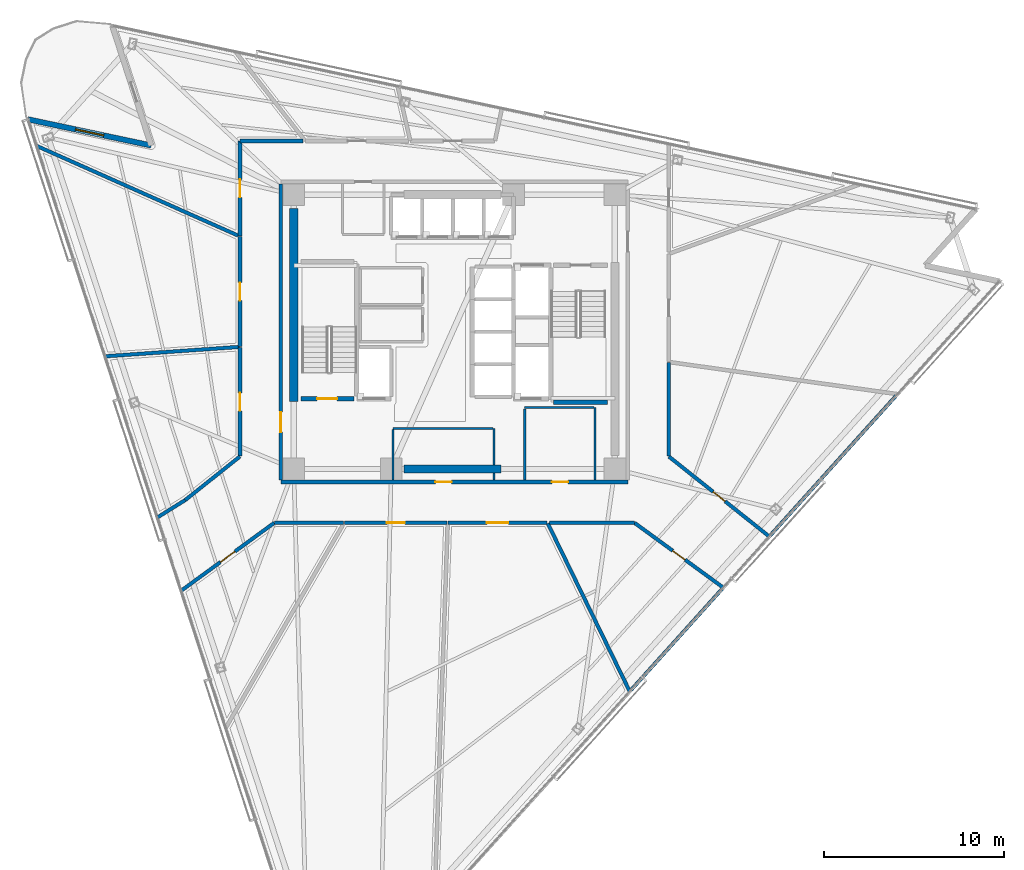
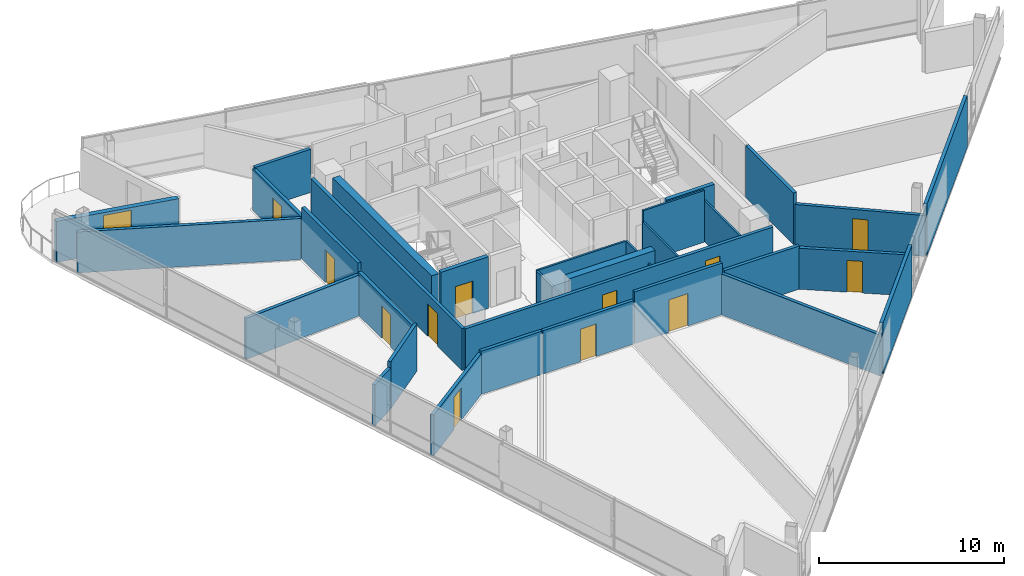
# One storey, part 10 of 17: 33 walls, 12 doors, 1 window, 13 openings.
"""IFC4 building model written with IfcOpenShell, lengths in metres."""

from ifc_helpers import new_model, si_unit, direction, frame, frame_2d, origin, place, context, subcontext, project, spatial, rectangle, extrude, material, layer, layer_set, type_object, element, fill, save


model = new_model("IFC4")

# Units and contexts
model_context = context("Model", 3, precision=1e-05, world=origin(), true_north=direction((0.0, 1.0)))
body_context = subcontext(model_context, "Body", "Model", "MODEL_VIEW")
ifc_project = project(units=[si_unit("LENGTHUNIT", "METRE"), si_unit("AREAUNIT", "SQUARE_METRE"), si_unit("VOLUMEUNIT", "CUBIC_METRE"), si_unit("PLANEANGLEUNIT", "RADIAN"), si_unit("MASSUNIT", "GRAM", prefix="KILO")], contexts=[model_context])

# Site, building, storey
site_placement = place(None, origin())
site = spatial("IfcSite", under=ifc_project, at=site_placement, CompositionType="ELEMENT")
building_placement = place(site_placement, origin())
building = spatial("IfcBuilding", under=site, at=building_placement, Name="Tharavind Bronze Gate", CompositionType="ELEMENT")
storey_placement = place(building_placement, frame((0.0, 0.0, 214.85009765625)))
storey = spatial("IfcBuildingStorey", under=building, at=storey_placement, Name="L55", CompositionType="ELEMENT", Elevation=214.85009765625)

# Wall, opening, window
ifc_material_1 = material(Name="Concrete C40/50", Category="concrete")
ifc_layer_1 = layer(ifc_material_1, 0.300048828125)
ifc_layer_set_1 = layer_set([ifc_layer_1], Name="Concrete C40/50")
wall_type_1 = type_object("IfcWallType", Name="EXTERIOR SPANDREL WALL 300", PredefinedType="STANDARD", material=ifc_layer_set_1)
wall_1_placement = place(storey_placement, frame((-16.802734375, 10.329345703125, 0.0), z_axis=(0.0, 0.0, 1.0), x_axis=(-0.9781486268, 0.207906863497, 0.0)))
wall_1 = element("IfcWall", 1, at=wall_1_placement, inside=storey, type_object=wall_type_1, Name="L55 notch cheek wall 1B", PredefinedType="STANDARD", context=body_context, shape_type="SweptSolid", body=[
    extrude(rectangle(XDim=6.97998046875, YDim=0.300048828125, at=frame_2d((3.489990234375, 0.0))), origin(), (0.0, 0.0, 1.0), 2.71484375),
])
opening_1_placement = place(wall_1_placement, frame((2.68994140625, 0.0, 0.3349609375)))
opening_1 = element("IfcOpeningElement", 2, at=opening_1_placement, cuts=wall_1, Name="Opening W05", PredefinedType="OPENING", context=body_context, shape_type="SweptSolid", body=[
    extrude(rectangle(XDim=1.60009765625, YDim=2.199951171875, at=frame_2d((0.800048828125, 1.10009765625))), frame((0.0, 0.15990234375, 0.0), z_axis=(0.0, -1.0, 0.0), x_axis=(1.0, 0.0, 0.0)), (0.0, 0.0, 1.0), 0.320048828125),
])
ifc_material_2 = material(Name="Bronze Aluminium & Low-E Glass", Category="aluminium")
window_type = type_object("IfcWindowType", Name="OFFICE NOTCH BRONZE WINDOW 1600X2200", PartitioningType="DOUBLE_PANEL_VERTICAL", PredefinedType="WINDOW", material=ifc_material_2)
window_placement = place(opening_1_placement, origin())
window = element("IfcWindow", 3, at=window_placement, inside=storey, type_object=window_type, Name="L55 exterior window WL-L55-NCA1-01", OverallHeight=2.199951171875, OverallWidth=1.60009765625, PartitioningType="SINGLE_PANEL", PredefinedType="WINDOW", context=body_context, shape_type="SweptSolid", body=[
    extrude(rectangle(XDim=1.60009765625, YDim=2.199951171875, at=frame_2d((0.800048828125, 1.10009765625))), frame((0.0, 0.030029296875, 0.0), z_axis=(0.0, -1.0, 0.0), x_axis=(1.0, 0.0, 0.0)), (0.0, 0.0, 1.0), 0.06005859375),
])
fill(opening_1, window)

# Wall, openings, doors
ifc_material_3 = material(Name="Aerated Concrete Block", Category="concrete")
ifc_layer_2 = layer(ifc_material_3, 0.199951171875)
ifc_layer_set_2 = layer_set([ifc_layer_2], Name="Aerated Concrete Block")
wall_type_2 = type_object("IfcWallType", Name="FIRE RATED PARTITION 200", PredefinedType="PARTITIONING", material=ifc_layer_set_2)
wall_2_placement = place(storey_placement, frame((-9.6201171875, -8.320068359375, 0.0), z_axis=(0.0, 0.0, 1.0), x_axis=(1.0, 0.0, 0.0)))
wall_2 = element("IfcWall", 4, at=wall_2_placement, inside=storey, type_object=wall_type_2, Name="L55 south core corridor wall", PredefinedType="PARTITIONING", context=body_context, shape_type="SweptSolid", body=[
    extrude(rectangle(XDim=19.240234375, YDim=0.199951171875, at=frame_2d((9.6201171875, 0.0))), origin(), (0.0, 0.0, 1.0), 2.864990234375),
])
opening_2_placement = place(wall_2_placement, frame((8.570068359375, 0.0, 0.0)))
opening_2 = element("IfcOpeningElement", 5, at=opening_2_placement, cuts=wall_2, Name="Opening ID07", PredefinedType="OPENING", context=body_context, shape_type="SweptSolid", body=[
    extrude(rectangle(XDim=0.89990234375, YDim=2.10009765625, at=frame_2d((0.449951171875, 1.050048828125))), frame((0.0, 0.11009765625, 0.0), z_axis=(0.0, -1.0, 0.0), x_axis=(1.0, 0.0, 0.0)), (0.0, 0.0, 1.0), 0.219951171875),
])
opening_3_placement = place(wall_2_placement, frame((15.02001953125, 0.0, 0.0)))
opening_3 = element("IfcOpeningElement", 6, at=opening_3_placement, cuts=wall_2, Name="Opening ID07", PredefinedType="OPENING", context=body_context, shape_type="SweptSolid", body=[
    extrude(rectangle(XDim=0.89990234375, YDim=2.10009765625, at=frame_2d((0.449951171875, 1.050048828125))), frame((0.0, 0.11009765625, 0.0), z_axis=(0.0, -1.0, 0.0), x_axis=(1.0, 0.0, 0.0)), (0.0, 0.0, 1.0), 0.219951171875),
])
ifc_material_4 = material(Name="Galvanised Fire Steel", Category="steel")
door_type_1 = type_object("IfcDoorType", Name="PLANT AND RISER FIRE DOOR 900X2100", OperationType="SINGLE_SWING_LEFT", PredefinedType="DOOR", material=ifc_material_4)
door_1_placement = place(opening_2_placement, origin())
door_1 = element("IfcDoor", 7, at=door_1_placement, inside=storey, type_object=door_type_1, Name="L55 Core BMS Control Room fire door", OperationType="SINGLE_SWING_LEFT", OverallHeight=2.10009765625, OverallWidth=0.89990234375, PredefinedType="DOOR", context=body_context, shape_type="SweptSolid", body=[
    extrude(rectangle(XDim=0.89990234375, YDim=2.10009765625, at=frame_2d((0.449951171875, 1.050048828125))), frame((0.0, 0.02490234375, 0.0), z_axis=(0.0, -1.0, 0.0), x_axis=(1.0, 0.0, 0.0)), (0.0, 0.0, 1.0), 0.050048828125),
])
fill(opening_2, door_1)
door_2_placement = place(opening_3_placement, origin())
door_2 = element("IfcDoor", 8, at=door_2_placement, inside=storey, type_object=door_type_1, Name="L55 Telecom Metering Room fire door", OperationType="SINGLE_SWING_LEFT", OverallHeight=2.10009765625, OverallWidth=0.89990234375, PredefinedType="DOOR", context=body_context, shape_type="SweptSolid", body=[
    extrude(rectangle(XDim=0.89990234375, YDim=2.10009765625, at=frame_2d((0.449951171875, 1.050048828125))), frame((0.0, 0.02490234375, 0.0), z_axis=(0.0, -1.0, 0.0), x_axis=(1.0, 0.0, 0.0)), (0.0, 0.0, 1.0), 0.050048828125),
])
fill(opening_3, door_2)

# Wall, opening, door
wall_3_placement = place(storey_placement, frame((-9.6201171875, 8.199951171875, 0.0), z_axis=(0.0, 0.0, 1.0), x_axis=(0.0, -1.0, 0.0)))
wall_3 = element("IfcWall", 9, at=wall_3_placement, inside=storey, type_object=wall_type_2, Name="L55 west core corridor wall", PredefinedType="PARTITIONING", context=body_context, shape_type="SweptSolid", body=[
    extrude(rectangle(XDim=16.39990234375, YDim=0.199951171875, at=frame_2d((8.199951171875, 0.0))), origin(), (0.0, 0.0, 1.0), 2.764892578125),
])
opening_4_placement = place(wall_3_placement, frame((12.64990234375, 0.0, 0.0)))
opening_4 = element("IfcOpeningElement", 10, at=opening_4_placement, cuts=wall_3, Name="Opening ID01", PredefinedType="OPENING", context=body_context, shape_type="SweptSolid", body=[
    extrude(rectangle(XDim=1.10009765625, YDim=2.14990234375, at=frame_2d((0.550048828125, 1.074951171875))), frame((0.0, 0.11009765625, 0.0), z_axis=(0.0, -1.0, 0.0), x_axis=(1.0, 0.0, 0.0)), (0.0, 0.0, 1.0), 0.219951171875),
])
ifc_material_5 = material(Name="Fire-Rated Steel", Category="steel")
door_type_2 = type_object("IfcDoorType", Name="STAIR CORE FIRE DOOR 1100X2150", OperationType="SINGLE_SWING_LEFT", PredefinedType="DOOR", material=ifc_material_5)
door_3_placement = place(opening_4_placement, frame((1.10009765625, 0.0, 0.0), z_axis=(0.0, 0.0, 1.0), x_axis=(-1.0, 0.0, 0.0)))
door_3 = element("IfcDoor", 11, at=door_3_placement, inside=storey, type_object=door_type_2, Name="L55 south west stair lobby fire door", OperationType="SINGLE_SWING_LEFT", OverallHeight=2.14990234375, OverallWidth=1.10009765625, PredefinedType="DOOR", context=body_context, shape_type="SweptSolid", body=[
    extrude(rectangle(XDim=1.10009765625, YDim=2.14990234375, at=frame_2d((0.550048828125, 1.074951171875))), frame((0.0, 0.02490234375, 0.0), z_axis=(0.0, -1.0, 0.0), x_axis=(1.0, 0.0, 0.0)), (0.0, 0.0, 1.0), 0.050048828125),
])
fill(opening_4, door_3)

# Walls
wall_4_placement = place(storey_placement, frame((9.7216796875, -19.932373046875, 0.0), z_axis=(0.0, 0.0, 1.0), x_axis=(-0.43837351414, 0.898792891661, 0.0)))
element("IfcWall", 12, at=wall_4_placement, inside=storey, type_object=wall_type_2, Name="L55 Public Restrooms Block partition", PredefinedType="PARTITIONING", context=body_context, shape_type="SweptSolid", body=[
    extrude(rectangle(XDim=10.365478515625, YDim=0.199951171875, at=frame_2d((5.1826171875, 0.0))), origin(), (0.0, 0.0, 1.0), 2.71484375),
])
wall_5_placement = place(storey_placement, frame((5.277099609375, -10.580078125, 0.0), z_axis=(0.0, 0.0, 1.0), x_axis=(1.0, 0.0, 0.0)))
element("IfcWall", 13, at=wall_5_placement, inside=storey, type_object=wall_type_2, Name="L55 Public Restrooms Block partition", PredefinedType="PARTITIONING", context=body_context, shape_type="SweptSolid", body=[
    extrude(rectangle(XDim=4.69287109375, YDim=0.199951171875, at=frame_2d((2.346435546875, 0.0))), origin(), (0.0, 0.0, 1.0), 2.864990234375),
])

# Wall, opening, door
wall_6_placement = place(storey_placement, frame((9.98486328125, -10.584716796875, 0.0), z_axis=(0.0, 0.0, 1.0), x_axis=(0.807842527243, -0.589398380705, 0.0)))
wall_6 = element("IfcWall", 14, at=wall_6_placement, inside=storey, type_object=wall_type_2, Name="L55 Public Restrooms Block partition", PredefinedType="PARTITIONING", context=body_context, shape_type="SweptSolid", body=[
    extrude(rectangle(XDim=6.091064453125, YDim=0.199951171875, at=frame_2d((3.04541015625, 0.0))), origin(), (0.0, 0.0, 1.0), 2.71484375),
])
opening_5_placement = place(wall_6_placement, frame((2.62109375, 0.0, 0.0)))
opening_5 = element("IfcOpeningElement", 15, at=opening_5_placement, cuts=wall_6, Name="Opening ID06", PredefinedType="OPENING", context=body_context, shape_type="SweptSolid", body=[
    extrude(rectangle(XDim=0.85009765625, YDim=2.10009765625, at=frame_2d((0.425048828125, 1.050048828125))), frame((0.0, 0.11009765625, 0.0), z_axis=(0.0, -1.0, 0.0), x_axis=(1.0, 0.0, 0.0)), (0.0, 0.0, 1.0), 0.219951171875),
])
ifc_material_6 = material(Name="Moisture-Resistant Timber", Category="wood")
door_type_3 = type_object("IfcDoorType", Name="BATHROOM PRIVACY DOOR 850X2100", OperationType="SINGLE_SWING_RIGHT", PredefinedType="DOOR", material=ifc_material_6)
door_4_placement = place(opening_5_placement, origin())
door_4 = element("IfcDoor", 16, at=door_4_placement, inside=storey, type_object=door_type_3, Name="L55 Public Restrooms Block door", OperationType="SINGLE_SWING_RIGHT", OverallHeight=2.10009765625, OverallWidth=0.85009765625, PredefinedType="DOOR", context=body_context, shape_type="SweptSolid", body=[
    extrude(rectangle(XDim=0.85009765625, YDim=2.10009765625, at=frame_2d((0.425048828125, 1.050048828125))), frame((0.0, 0.02490234375, 0.0), z_axis=(0.0, -1.0, 0.0), x_axis=(1.0, 0.0, 0.0)), (0.0, 0.0, 1.0), 0.050048828125),
])
fill(opening_5, door_4)

# Wall
wall_7_placement = place(storey_placement, frame((14.8349609375, -14.25341796875, 0.0), z_axis=(0.0, 0.0, 1.0), x_axis=(-0.669136711987, -0.7431393279, 0.0)))
element("IfcWall", 17, at=wall_7_placement, inside=storey, type_object=wall_type_2, Name="L55 Public Restrooms Block partition", PredefinedType="PARTITIONING", context=body_context, shape_type="SweptSolid", body=[
    extrude(rectangle(XDim=7.528564453125, YDim=0.199951171875, at=frame_2d((3.76416015625, 0.0))), origin(), (0.0, 0.0, 1.0), 3.419921875),
])

# Wall, opening, door
wall_8_placement = place(storey_placement, frame((17.4560546875, -11.34228515625, 0.0), z_axis=(0.0, 0.0, 1.0), x_axis=(-0.782369623791, 0.622814395923, 0.0)))
wall_8 = element("IfcWall", 18, at=wall_8_placement, inside=storey, type_object=wall_type_2, Name="L55 Public Restrooms Block partition", PredefinedType="PARTITIONING", context=body_context, shape_type="SweptSolid", body=[
    extrude(rectangle(XDim=7.115234375, YDim=0.199951171875, at=frame_2d((3.5576171875, 0.0))), origin(), (0.0, 0.0, 1.0), 2.71484375),
])
opening_6_placement = place(wall_8_placement, frame((3.133056640625, 0.0, 0.0)))
opening_6 = element("IfcOpeningElement", 19, at=opening_6_placement, cuts=wall_8, Name="Opening ID06", PredefinedType="OPENING", context=body_context, shape_type="SweptSolid", body=[
    extrude(rectangle(XDim=0.85009765625, YDim=2.10009765625, at=frame_2d((0.425048828125, 1.050048828125))), frame((0.0, 0.11009765625, 0.0), z_axis=(0.0, -1.0, 0.0), x_axis=(1.0, 0.0, 0.0)), (0.0, 0.0, 1.0), 0.219951171875),
])
door_5_placement = place(opening_6_placement, origin())
door_5 = element("IfcDoor", 20, at=door_5_placement, inside=storey, type_object=door_type_3, Name="L55 Public Restrooms Block door", OperationType="SINGLE_SWING_RIGHT", OverallHeight=2.10009765625, OverallWidth=0.85009765625, PredefinedType="DOOR", context=body_context, shape_type="SweptSolid", body=[
    extrude(rectangle(XDim=0.85009765625, YDim=2.10009765625, at=frame_2d((0.425048828125, 1.050048828125))), frame((0.0, 0.02490234375, 0.0), z_axis=(0.0, -1.0, 0.0), x_axis=(1.0, 0.0, 0.0)), (0.0, 0.0, 1.0), 0.050048828125),
])
fill(opening_6, door_5)

# Walls
wall_9_placement = place(storey_placement, frame((11.8798828125, -6.891357421875, 0.0), z_axis=(0.0, 0.0, 1.0), x_axis=(0.0, 1.0, 0.0)))
element("IfcWall", 21, at=wall_9_placement, inside=storey, type_object=wall_type_2, Name="L55 Public Restrooms Block partition", PredefinedType="PARTITIONING", context=body_context, shape_type="SweptSolid", body=[
    extrude(rectangle(XDim=5.19287109375, YDim=0.199951171875, at=frame_2d((2.596435546875, 0.0))), origin(), (0.0, 0.0, 1.0), 3.419921875),
])
wall_10_placement = place(storey_placement, frame((24.47607421875, -3.5458984375, 0.0), z_axis=(0.0, 0.0, 1.0), x_axis=(-0.669132139193, -0.743143445305, 0.0)))
element("IfcWall", 22, at=wall_10_placement, inside=storey, type_object=wall_type_2, Name="L55 Public Restrooms Block partition", PredefinedType="PARTITIONING", context=body_context, shape_type="SweptSolid", body=[
    extrude(rectangle(XDim=10.473388671875, YDim=0.199951171875, at=frame_2d((5.23681640625, 0.0))), origin(), (0.0, 0.0, 1.0), 3.419921875),
])
wall_11_placement = place(storey_placement, frame((-8.399169921875, 10.580078125, 0.0), z_axis=(0.0, 0.0, 1.0), x_axis=(-1.0, 0.0, 0.0)))
element("IfcWall", 23, at=wall_11_placement, inside=storey, type_object=wall_type_2, Name="L55 Climate Office D partition", PredefinedType="PARTITIONING", context=body_context, shape_type="SweptSolid", body=[
    extrude(rectangle(XDim=3.480224609375, YDim=0.199951171875, at=frame_2d((1.740234375, 0.0))), origin(), (0.0, 0.0, 1.0), 2.864990234375),
])

# Wall, opening, door
wall_12_placement = place(storey_placement, frame((-11.8798828125, 10.579345703125, 0.0), z_axis=(0.0, 0.0, 1.0), x_axis=(0.0, -1.0, 0.0)))
wall_12 = element("IfcWall", 24, at=wall_12_placement, inside=storey, type_object=wall_type_2, Name="L55 Climate Office D partition", PredefinedType="PARTITIONING", context=body_context, shape_type="SweptSolid", body=[
    extrude(rectangle(XDim=5.25146484375, YDim=0.199951171875, at=frame_2d((2.625732421875, 0.0))), origin(), (0.0, 0.0, 1.0), 2.764892578125),
])
opening_7_placement = place(wall_12_placement, frame((2.1259765625, 0.0, 0.0)))
opening_7 = element("IfcOpeningElement", 25, at=opening_7_placement, cuts=wall_12, Name="Opening ID04", PredefinedType="OPENING", context=body_context, shape_type="SweptSolid", body=[
    extrude(rectangle(XDim=1.0, YDim=2.14990234375, at=frame_2d((0.5, 1.074951171875))), frame((0.0, 0.11009765625, 0.0), z_axis=(0.0, -1.0, 0.0), x_axis=(1.0, 0.0, 0.0)), (0.0, 0.0, 1.0), 0.219951171875),
])
ifc_material_7 = material(Name="Bronze Framed Acoustic Timber", Category="wood")
door_type_4 = type_object("IfcDoorType", Name="OFFICE TENANCY DOOR 1000X2150", OperationType="SINGLE_SWING_RIGHT", PredefinedType="DOOR", material=ifc_material_7)
door_6_placement = place(opening_7_placement, origin())
door_6 = element("IfcDoor", 26, at=door_6_placement, inside=storey, type_object=door_type_4, Name="L55 Climate Office D door", OperationType="SINGLE_SWING_RIGHT", OverallHeight=2.14990234375, OverallWidth=1.0, PredefinedType="DOOR", context=body_context, shape_type="SweptSolid", body=[
    extrude(rectangle(XDim=1.0, YDim=2.14990234375, at=frame_2d((0.5, 1.074951171875))), frame((0.0, 0.02490234375, 0.0), z_axis=(0.0, -1.0, 0.0), x_axis=(1.0, 0.0, 0.0)), (0.0, 0.0, 1.0), 0.050048828125),
])
fill(opening_7, door_6)

# Wall
wall_13_placement = place(storey_placement, frame((-11.985107421875, 5.336181640625, 0.0), z_axis=(0.0, 0.0, 1.0), x_axis=(-0.913550027703, 0.406726378397, 0.0)))
element("IfcWall", 27, at=wall_13_placement, inside=storey, type_object=wall_type_2, Name="L55 Climate Office D partition", PredefinedType="PARTITIONING", context=body_context, shape_type="SweptSolid", body=[
    extrude(rectangle(XDim=12.212158203125, YDim=0.199951171875, at=frame_2d((6.10595703125, 0.0))), origin(), (0.0, 0.0, 1.0), 2.71484375),
])

# Wall, opening, door
wall_14_placement = place(storey_placement, frame((-11.8798828125, 5.273193359375, 0.0), z_axis=(0.0, 0.0, 1.0), x_axis=(0.0, -1.0, 0.0)))
wall_14 = element("IfcWall", 28, at=wall_14_placement, inside=storey, type_object=wall_type_2, Name="L55 Climate Office E partition", PredefinedType="PARTITIONING", context=body_context, shape_type="SweptSolid", body=[
    extrude(rectangle(XDim=6.08056640625, YDim=0.199951171875, at=frame_2d((3.040283203125, 0.0))), origin(), (0.0, 0.0, 1.0), 3.419921875),
])
opening_8_placement = place(wall_14_placement, frame((2.5400390625, 0.0, 0.0)))
opening_8 = element("IfcOpeningElement", 29, at=opening_8_placement, cuts=wall_14, Name="Opening ID04", PredefinedType="OPENING", context=body_context, shape_type="SweptSolid", body=[
    extrude(rectangle(XDim=1.0, YDim=2.14990234375, at=frame_2d((0.5, 1.074951171875))), frame((0.0, 0.11009765625, 0.0), z_axis=(0.0, -1.0, 0.0), x_axis=(1.0, 0.0, 0.0)), (0.0, 0.0, 1.0), 0.219951171875),
])
door_7_placement = place(opening_8_placement, origin())
door_7 = element("IfcDoor", 30, at=door_7_placement, inside=storey, type_object=door_type_4, Name="L55 Climate Office E door", OperationType="SINGLE_SWING_RIGHT", OverallHeight=2.14990234375, OverallWidth=1.0, PredefinedType="DOOR", context=body_context, shape_type="SweptSolid", body=[
    extrude(rectangle(XDim=1.0, YDim=2.14990234375, at=frame_2d((0.5, 1.074951171875))), frame((0.0, 0.02490234375, 0.0), z_axis=(0.0, -1.0, 0.0), x_axis=(1.0, 0.0, 0.0)), (0.0, 0.0, 1.0), 0.050048828125),
])
fill(opening_8, door_7)

# Wall
wall_15_placement = place(storey_placement, frame((-11.9033203125, -0.83251953125, 0.0), z_axis=(0.0, 0.0, 1.0), x_axis=(-0.997566053888, -0.069727814616, 0.0)))
element("IfcWall", 31, at=wall_15_placement, inside=storey, type_object=wall_type_2, Name="L55 Climate Office E partition", PredefinedType="PARTITIONING", context=body_context, shape_type="SweptSolid", body=[
    extrude(rectangle(XDim=7.457763671875, YDim=0.199951171875, at=frame_2d((3.72900390625, 0.0))), origin(), (0.0, 0.0, 1.0), 2.71484375),
])

# Wall, opening, door
wall_16_placement = place(storey_placement, frame((-11.8798828125, -0.857421875, 0.0), z_axis=(0.0, 0.0, 1.0), x_axis=(0.0, -1.0, 0.0)))
wall_16 = element("IfcWall", 32, at=wall_16_placement, inside=storey, type_object=wall_type_2, Name="L55 Climate Office F partition", PredefinedType="PARTITIONING", context=body_context, shape_type="SweptSolid", body=[
    extrude(rectangle(XDim=6.033935546875, YDim=0.199951171875, at=frame_2d((3.01708984375, 0.0))), origin(), (0.0, 0.0, 1.0), 2.864990234375),
])
opening_9_placement = place(wall_16_placement, frame((2.51708984375, 0.0, 0.0)))
opening_9 = element("IfcOpeningElement", 33, at=opening_9_placement, cuts=wall_16, Name="Opening ID04", PredefinedType="OPENING", context=body_context, shape_type="SweptSolid", body=[
    extrude(rectangle(XDim=1.0, YDim=2.14990234375, at=frame_2d((0.5, 1.074951171875))), frame((0.0, 0.11009765625, 0.0), z_axis=(0.0, -1.0, 0.0), x_axis=(1.0, 0.0, 0.0)), (0.0, 0.0, 1.0), 0.219951171875),
])
door_8_placement = place(opening_9_placement, origin())
door_8 = element("IfcDoor", 34, at=door_8_placement, inside=storey, type_object=door_type_4, Name="L55 Climate Office F door", OperationType="SINGLE_SWING_RIGHT", OverallHeight=2.14990234375, OverallWidth=1.0, PredefinedType="DOOR", context=body_context, shape_type="SweptSolid", body=[
    extrude(rectangle(XDim=1.0, YDim=2.14990234375, at=frame_2d((0.5, 1.074951171875))), frame((0.0, 0.02490234375, 0.0), z_axis=(0.0, -1.0, 0.0), x_axis=(1.0, 0.0, 0.0)), (0.0, 0.0, 1.0), 0.050048828125),
])
fill(opening_9, door_8)

# Walls
wall_17_placement = place(storey_placement, frame((-11.889404296875, -6.910888671875, 0.0), z_axis=(0.0, 0.0, 1.0), x_axis=(-0.782368382049, -0.622815955777, 0.0)))
element("IfcWall", 35, at=wall_17_placement, inside=storey, type_object=wall_type_2, Name="L55 Climate Office F partition", PredefinedType="PARTITIONING", context=body_context, shape_type="SweptSolid", body=[
    extrude(rectangle(XDim=3.869873046875, YDim=0.199951171875, at=frame_2d((1.93505859375, 0.0))), origin(), (0.0, 0.0, 1.0), 3.114990234375),
])
wall_18_placement = place(storey_placement, frame((-14.919189453125, -9.322509765625, 0.0), z_axis=(0.0, 0.0, 1.0), x_axis=(-0.84803603548, -0.529938564861, 0.0)))
element("IfcWall", 36, at=wall_18_placement, inside=storey, type_object=wall_type_2, Name="L55 Climate Office F partition", PredefinedType="PARTITIONING", context=body_context, shape_type="SweptSolid", body=[
    extrude(rectangle(XDim=1.8173828125, YDim=0.199951171875, at=frame_2d((0.90869140625, 0.0))), origin(), (0.0, 0.0, 1.0), 2.71484375),
])

# Wall, opening, door
wall_19_placement = place(storey_placement, frame((-15.14111328125, -14.3466796875, 0.0), z_axis=(0.0, 0.0, 1.0), x_axis=(0.807843616105, 0.589396888284, 0.0)))
wall_19 = element("IfcWall", 37, at=wall_19_placement, inside=storey, type_object=wall_type_2, Name="L55 Climate Office G partition", PredefinedType="PARTITIONING", context=body_context, shape_type="SweptSolid", body=[
    extrude(rectangle(XDim=6.3828125, YDim=0.199951171875, at=frame_2d((3.19140625, 0.0))), origin(), (0.0, 0.0, 1.0), 2.71484375),
])
opening_10_placement = place(wall_19_placement, frame((2.69091796875, 0.0, 0.0)))
opening_10 = element("IfcOpeningElement", 38, at=opening_10_placement, cuts=wall_19, Name="Opening ID04", PredefinedType="OPENING", context=body_context, shape_type="SweptSolid", body=[
    extrude(rectangle(XDim=1.0, YDim=2.14990234375, at=frame_2d((0.5, 1.074951171875))), frame((0.0, 0.11009765625, 0.0), z_axis=(0.0, -1.0, 0.0), x_axis=(1.0, 0.0, 0.0)), (0.0, 0.0, 1.0), 0.219951171875),
])
door_9_placement = place(opening_10_placement, origin())
door_9 = element("IfcDoor", 39, at=door_9_placement, inside=storey, type_object=door_type_4, Name="L55 Climate Office G door", OperationType="SINGLE_SWING_RIGHT", OverallHeight=2.14990234375, OverallWidth=1.0, PredefinedType="DOOR", context=body_context, shape_type="SweptSolid", body=[
    extrude(rectangle(XDim=1.0, YDim=2.14990234375, at=frame_2d((0.5, 1.074951171875))), frame((0.0, 0.02490234375, 0.0), z_axis=(0.0, -1.0, 0.0), x_axis=(1.0, 0.0, 0.0)), (0.0, 0.0, 1.0), 0.050048828125),
])
fill(opening_10, door_9)

# Wall
wall_20_placement = place(storey_placement, frame((-9.969970703125, -10.580078125, 0.0), z_axis=(0.0, 0.0, 1.0), x_axis=(1.0, 0.0, 0.0)))
element("IfcWall", 40, at=wall_20_placement, inside=storey, type_object=wall_type_2, Name="L55 Climate Office G partition", PredefinedType="PARTITIONING", context=body_context, shape_type="SweptSolid", body=[
    extrude(rectangle(XDim=3.818359375, YDim=0.199951171875, at=frame_2d((1.9091796875, 0.0))), origin(), (0.0, 0.0, 1.0), 2.864990234375),
])

# Wall, opening, door
wall_21_placement = place(storey_placement, frame((-6.093994140625, -10.580078125, 0.0), z_axis=(0.0, 0.0, 1.0), x_axis=(1.0, 0.0, 0.0)))
wall_21 = element("IfcWall", 41, at=wall_21_placement, inside=storey, type_object=wall_type_2, Name="L55 Climate Policy Office partition", PredefinedType="PARTITIONING", context=body_context, shape_type="SweptSolid", body=[
    extrude(rectangle(XDim=5.69873046875, YDim=0.199951171875, at=frame_2d((2.849365234375, 0.0))), origin(), (0.0, 0.0, 1.0), 2.864990234375),
])
opening_11_placement = place(wall_21_placement, frame((2.34912109375, 0.0, 0.0)))
opening_11 = element("IfcOpeningElement", 42, at=opening_11_placement, cuts=wall_21, Name="Opening ID04", PredefinedType="OPENING", context=body_context, shape_type="SweptSolid", body=[
    extrude(rectangle(XDim=1.0, YDim=2.14990234375, at=frame_2d((0.5, 1.074951171875))), frame((0.0, 0.11009765625, 0.0), z_axis=(0.0, -1.0, 0.0), x_axis=(1.0, 0.0, 0.0)), (0.0, 0.0, 1.0), 0.219951171875),
])
door_10_placement = place(opening_11_placement, origin())
door_10 = element("IfcDoor", 43, at=door_10_placement, inside=storey, type_object=door_type_4, Name="L55 Climate Policy Office door", OperationType="SINGLE_SWING_RIGHT", OverallHeight=2.14990234375, OverallWidth=1.0, PredefinedType="DOOR", context=body_context, shape_type="SweptSolid", body=[
    extrude(rectangle(XDim=1.0, YDim=2.14990234375, at=frame_2d((0.5, 1.074951171875))), frame((0.0, 0.02490234375, 0.0), z_axis=(0.0, -1.0, 0.0), x_axis=(1.0, 0.0, 0.0)), (0.0, 0.0, 1.0), 0.050048828125),
])
fill(opening_11, door_10)

wall_22_placement = place(storey_placement, frame((-0.34521484375, -10.580078125, 0.0), z_axis=(0.0, 0.0, 1.0), x_axis=(1.0, 0.0, 0.0)))
wall_22 = element("IfcWall", 44, at=wall_22_placement, inside=storey, type_object=wall_type_2, Name="L55 Policy Review Room partition", PredefinedType="PARTITIONING", context=body_context, shape_type="SweptSolid", body=[
    extrude(rectangle(XDim=5.48974609375, YDim=0.199951171875, at=frame_2d((2.744873046875, 0.0))), origin(), (0.0, 0.0, 1.0), 3.419921875),
])
opening_12_placement = place(wall_22_placement, frame((2.14501953125, 0.0, 0.0)))
opening_12 = element("IfcOpeningElement", 45, at=opening_12_placement, cuts=wall_22, Name="Opening ID05", PredefinedType="OPENING", context=body_context, shape_type="SweptSolid", body=[
    extrude(rectangle(XDim=1.199951171875, YDim=2.14990234375, at=frame_2d((0.60009765625, 1.074951171875))), frame((0.0, 0.11009765625, 0.0), z_axis=(0.0, -1.0, 0.0), x_axis=(1.0, 0.0, 0.0)), (0.0, 0.0, 1.0), 0.219951171875),
])
ifc_material_8 = material(Name="Acoustic Laminated Glass", Category="glass")
door_type_5 = type_object("IfcDoorType", Name="MEETING ROOM GLAZED DOOR 1200X2150", OperationType="SINGLE_SWING_LEFT", PredefinedType="DOOR", material=ifc_material_8)
door_11_placement = place(opening_12_placement, origin())
door_11 = element("IfcDoor", 46, at=door_11_placement, inside=storey, type_object=door_type_5, Name="L55 Policy Review Room door", OperationType="SINGLE_SWING_LEFT", OverallHeight=2.14990234375, OverallWidth=1.199951171875, PredefinedType="DOOR", context=body_context, shape_type="SweptSolid", body=[
    extrude(rectangle(XDim=1.199951171875, YDim=2.14990234375, at=frame_2d((0.60009765625, 1.074951171875))), frame((0.0, 0.02490234375, 0.0), z_axis=(0.0, -1.0, 0.0), x_axis=(1.0, 0.0, 0.0)), (0.0, 0.0, 1.0), 0.050048828125),
])
fill(opening_12, door_11)

# Walls
ifc_material_9 = material(Name="Metal Stud Gypsum Partition", Category="gypsum")
ifc_layer_3 = layer(ifc_material_9, 0.1201171875)
ifc_layer_set_3 = layer_set([ifc_layer_3], Name="Metal Stud Gypsum Partition")
wall_type_3 = type_object("IfcWallType", Name="INTERIOR PARTITION WALL 120", PredefinedType="PARTITIONING", material=ifc_layer_set_3)
wall_23_placement = place(storey_placement, frame((2.199951171875, -8.215087890625, 0.0), z_axis=(0.0, 0.0, 1.0), x_axis=(0.0, 1.0, 0.0)))
element("IfcWall", 47, at=wall_23_placement, inside=storey, type_object=wall_type_3, Name="L55 Core BMS Control Room partition 2", PredefinedType="PARTITIONING", context=body_context, shape_type="SweptSolid", body=[
    extrude(rectangle(XDim=0.385009765625, YDim=0.1201171875, at=frame_2d((0.1923828125, 0.0))), origin(), (0.0, 0.0, 1.0), 2.71484375),
])
wall_24_placement = place(storey_placement, frame((2.199951171875, -7.3701171875, 0.0), z_axis=(0.0, 0.0, 1.0), x_axis=(0.0, 1.0, 0.0)))
element("IfcWall", 48, at=wall_24_placement, inside=storey, type_object=wall_type_3, Name="L55 Core BMS Control Room partition 2", PredefinedType="PARTITIONING", context=body_context, shape_type="SweptSolid", body=[
    extrude(rectangle(XDim=2.02001953125, YDim=0.1201171875, at=frame_2d((1.010009765625, 0.0))), origin(), (0.0, 0.0, 1.0), 2.71484375),
])
wall_25_placement = place(storey_placement, frame((2.135009765625, -5.35009765625, 0.0), z_axis=(0.0, 0.0, 1.0), x_axis=(-1.0, 0.0, 0.0)))
element("IfcWall", 49, at=wall_25_placement, inside=storey, type_object=wall_type_3, Name="L55 Core BMS Control Room partition 3", PredefinedType="PARTITIONING", context=body_context, shape_type="SweptSolid", body=[
    extrude(rectangle(XDim=5.534912109375, YDim=0.1201171875, at=frame_2d((2.767578125, 0.0))), origin(), (0.0, 0.0, 1.0), 2.71484375),
])
wall_26_placement = place(storey_placement, frame((-3.39990234375, -5.4150390625, 0.0), z_axis=(0.0, 0.0, 1.0), x_axis=(0.0, -1.0, 0.0)))
element("IfcWall", 50, at=wall_26_placement, inside=storey, type_object=wall_type_3, Name="L55 Core BMS Control Room partition 4", PredefinedType="PARTITIONING", context=body_context, shape_type="SweptSolid", body=[
    extrude(rectangle(XDim=2.800048828125, YDim=0.1201171875, at=frame_2d((1.39990234375, 0.0))), origin(), (0.0, 0.0, 1.0), 2.71484375),
])
wall_27_placement = place(storey_placement, frame((7.800048828125, -8.215087890625, 0.0), z_axis=(0.0, 0.0, 1.0), x_axis=(0.0, 1.0, 0.0)))
element("IfcWall", 51, at=wall_27_placement, inside=storey, type_object=wall_type_3, Name="L55 Telecom Metering Room partition 2", PredefinedType="PARTITIONING", context=body_context, shape_type="SweptSolid", body=[
    extrude(rectangle(XDim=4.01513671875, YDim=0.1201171875, at=frame_2d((2.007568359375, 0.0))), origin(), (0.0, 0.0, 1.0), 2.71484375),
])
wall_28_placement = place(storey_placement, frame((7.735107421875, -4.199951171875, 0.0), z_axis=(0.0, 0.0, 1.0), x_axis=(-1.0, 0.0, 0.0)))
element("IfcWall", 52, at=wall_28_placement, inside=storey, type_object=wall_type_3, Name="L55 Telecom Metering Room partition 3", PredefinedType="PARTITIONING", context=body_context, shape_type="SweptSolid", body=[
    extrude(rectangle(XDim=3.835205078125, YDim=0.1201171875, at=frame_2d((1.91748046875, 0.0))), origin(), (0.0, 0.0, 1.0), 3.419921875),
])
wall_29_placement = place(storey_placement, frame((3.89990234375, -4.264892578125, 0.0), z_axis=(0.0, 0.0, 1.0), x_axis=(0.0, -1.0, 0.0)))
element("IfcWall", 53, at=wall_29_placement, inside=storey, type_object=wall_type_3, Name="L55 Telecom Metering Room partition 4", PredefinedType="PARTITIONING", context=body_context, shape_type="SweptSolid", body=[
    extrude(rectangle(XDim=3.9501953125, YDim=0.1201171875, at=frame_2d((1.97509765625, 0.0))), origin(), (0.0, 0.0, 1.0), 2.71484375),
])

# Wall, opening, door
ifc_material_10 = material(Name="Concrete C50/60", Category="concrete")
ifc_layer_4 = layer(ifc_material_10, 0.25)
ifc_layer_set_4 = layer_set([ifc_layer_4], Name="Concrete C50/60")
wall_type_4 = type_object("IfcWallType", Name="RC CORE SHEAR WALL 250", PredefinedType="SHEAR", material=ifc_layer_set_4)
wall_30_placement = place(storey_placement, frame((-8.5, -3.699951171875, 0.0), z_axis=(0.0, 0.0, 1.0), x_axis=(1.0, 0.0, 0.0)))
wall_30 = element("IfcWall", 54, at=wall_30_placement, inside=storey, type_object=wall_type_4, Name="L55 ST1 shaft south wall", PredefinedType="SHEAR", context=body_context, shape_type="SweptSolid", body=[
    extrude(rectangle(XDim=2.949951171875, YDim=0.25, at=frame_2d((1.47509765625, 0.0))), origin(), (0.0, 0.0, 1.0), 3.419921875),
])
opening_13_placement = place(wall_30_placement, frame((0.89990234375, 0.0, 0.0)))
opening_13 = element("IfcOpeningElement", 55, at=opening_13_placement, cuts=wall_30, Name="Opening ID01", PredefinedType="OPENING", context=body_context, shape_type="SweptSolid", body=[
    extrude(rectangle(XDim=1.10009765625, YDim=2.14990234375, at=frame_2d((0.550048828125, 1.074951171875))), frame((0.0, 0.135, 0.0), z_axis=(0.0, -1.0, 0.0), x_axis=(1.0, 0.0, 0.0)), (0.0, 0.0, 1.0), 0.27),
])
door_12_placement = place(opening_13_placement, origin())
door_12 = element("IfcDoor", 56, at=door_12_placement, inside=storey, type_object=door_type_2, Name="L55 exit stair ST1 fire door", OperationType="SINGLE_SWING_LEFT", OverallHeight=2.14990234375, OverallWidth=1.10009765625, PredefinedType="DOOR", context=body_context, shape_type="SweptSolid", body=[
    extrude(rectangle(XDim=1.10009765625, YDim=2.14990234375, at=frame_2d((0.550048828125, 1.074951171875))), frame((0.0, 0.02490234375, 0.0), z_axis=(0.0, -1.0, 0.0), x_axis=(1.0, 0.0, 0.0)), (0.0, 0.0, 1.0), 0.050048828125),
])
fill(opening_13, door_12)

# Walls
wall_31_placement = place(storey_placement, frame((5.5, -3.89990234375, 0.0), z_axis=(0.0, 0.0, 1.0), x_axis=(1.0, 0.0, 0.0)))
element("IfcWall", 57, at=wall_31_placement, inside=storey, type_object=wall_type_4, Name="L55 ST2 shaft south wall", PredefinedType="SHEAR", context=body_context, shape_type="SweptSolid", body=[
    extrude(rectangle(XDim=3.0, YDim=0.25, at=frame_2d((1.5, 0.0))), origin(), (0.0, 0.0, 1.0), 3.419921875),
])
ifc_material_11 = material(Name="Concrete C60/75", Category="concrete")
ifc_layer_5 = layer(ifc_material_11, 0.449951171875)
ifc_layer_set_5 = layer_set([ifc_layer_5], Name="Concrete C60/75")
wall_type_5 = type_object("IfcWallType", Name="RC CORE SHEAR WALL 450", PredefinedType="SHEAR", material=ifc_layer_set_5)
wall_32_placement = place(storey_placement, frame((-2.800048828125, -7.60009765625, 0.0), z_axis=(0.0, 0.0, 1.0), x_axis=(1.0, 0.0, 0.0)))
element("IfcWall", 58, at=wall_32_placement, inside=storey, type_object=wall_type_5, Name="L55 south core shear wall", PredefinedType="SHEAR", context=body_context, shape_type="SweptSolid", body=[
    extrude(rectangle(XDim=5.380126953125, YDim=0.449951171875, at=frame_2d((2.68994140625, 0.0))), origin(), (0.0, 0.0, 1.0), 3.419921875),
])
wall_33_placement = place(storey_placement, frame((-8.89990234375, -3.85009765625, 0.0), z_axis=(0.0, 0.0, 1.0), x_axis=(0.0, 1.0, 0.0)))
element("IfcWall", 59, at=wall_33_placement, inside=storey, type_object=wall_type_5, Name="L55 west core shear wall", PredefinedType="SHEAR", context=body_context, shape_type="SweptSolid", body=[
    extrude(rectangle(XDim=10.7001953125, YDim=0.449951171875, at=frame_2d((5.35009765625, 0.0))), origin(), (0.0, 0.0, 1.0), 3.419921875),
])

save(model, "model.ifc")
